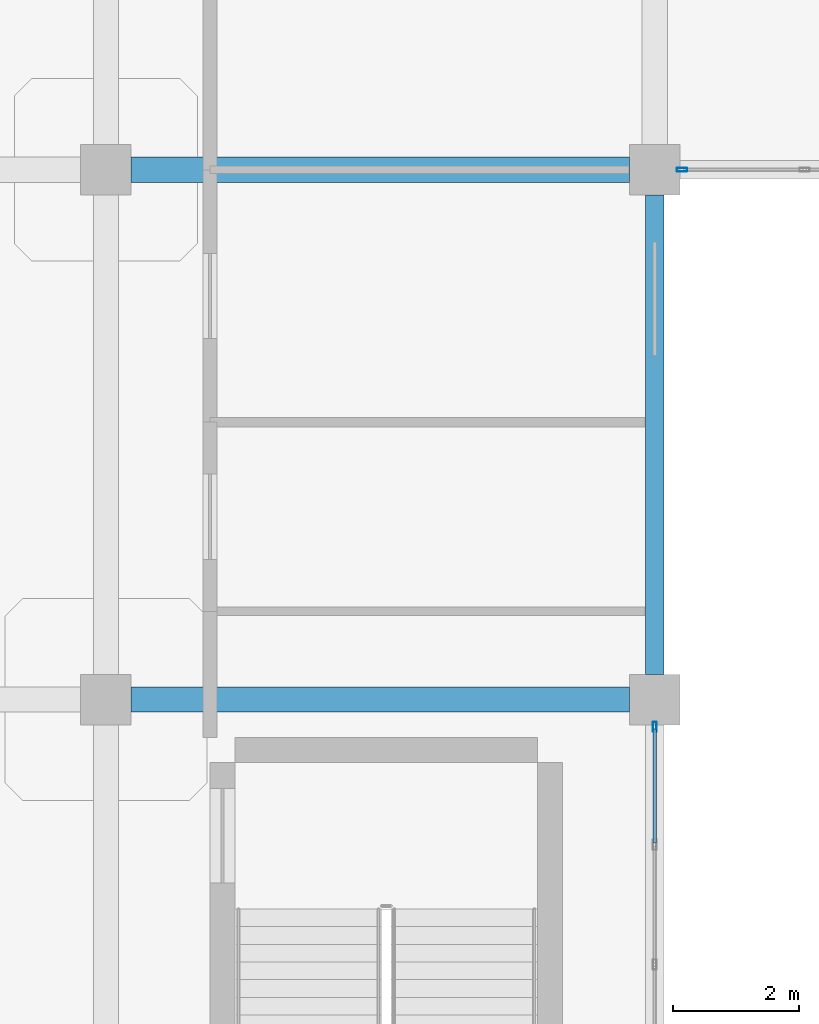
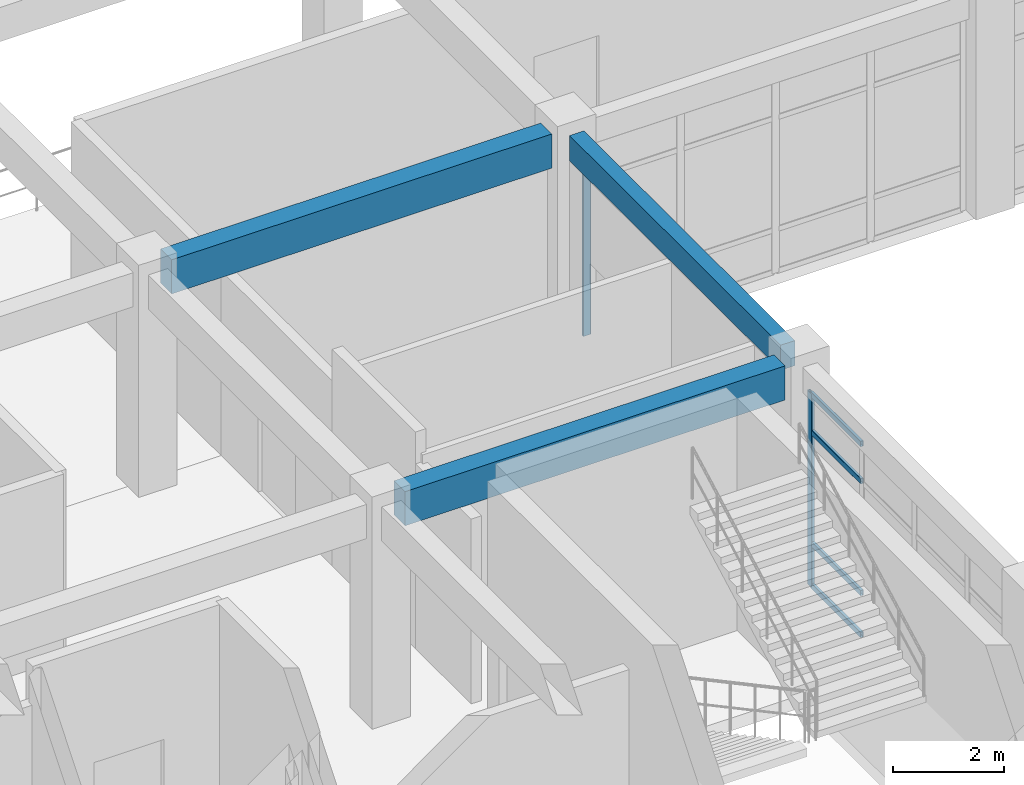
# One storey, part 34 of 124: 6 members, 3 beams, 2 elements without a shape of their own.
"""IFC4 building model written with IfcOpenShell, lengths in metres."""

from ifc_helpers import new_model, si_unit, derived_unit, direction, frame, origin, origin_2d, place, context, subcontext, project, spatial, rectangle, hollow_rectangle, extrude, material, layer, layer_set, material_profile, profile_set, type_object, element, aggregate, save


model = new_model("IFC4")

# Units and contexts
model_context = context("Model", 3, precision=1e-05, world=origin(), true_north=direction((0.0, 1.0)))
body_context = subcontext(model_context, "Body", "Model", "MODEL_VIEW")
ifc_project = project(units=[si_unit("LENGTHUNIT", "METRE"), si_unit("AREAUNIT", "SQUARE_METRE"), si_unit("VOLUMEUNIT", "CUBIC_METRE"), si_unit("PLANEANGLEUNIT", "RADIAN"), si_unit("MASSUNIT", "GRAM", prefix="KILO"), derived_unit("THERMALTRANSMITTANCEUNIT", [(si_unit("MASSUNIT", "GRAM", prefix="KILO"), 1), (si_unit("TIMEUNIT", "SECOND"), -3), (si_unit("THERMODYNAMICTEMPERATUREUNIT", "KELVIN"), -1)])], contexts=[model_context])

# Site, building, storey
site_placement = place(None, origin())
site = spatial("IfcSite", under=ifc_project, at=site_placement, CompositionType="ELEMENT")
building_placement = place(site_placement, origin())
building = spatial("IfcBuilding", under=site, at=building_placement, Name="Qinzheling Arcade Emporium", CompositionType="ELEMENT")
storey_placement = place(building_placement, frame((0.0, 0.0, 16.5)))
storey = spatial("IfcBuildingStorey", under=building, at=storey_placement, Name="L04", CompositionType="ELEMENT", Elevation=16.5)

# Curtain wall, member
ifc_material_1 = material(Name="Anodised aluminium and solar-control double glazing", Category="aluminium")
ifc_layer_1 = layer(ifc_material_1, 0.159912109375, Name="Anodised aluminium and solar-control double glazing", Category="aluminium")
ifc_layer_set_1 = layer_set([ifc_layer_1], Name="Anodised aluminium and solar-control double glazing")
curtain_wall_type_1 = type_object("IfcCurtainWallType", Name="Atrium Clerestory Curtain Wall", PredefinedType="NOTDEFINED", material=ifc_layer_set_1)
curtain_wall_1_placement = place(storey_placement, origin())
curtain_wall_1 = element("IfcCurtainWall", 1, at=curtain_wall_1_placement, inside=storey, type_object=curtain_wall_type_1, Name="Curtain Wall CW-L04-256", PredefinedType="NOTDEFINED")
ifc_material_2 = material(Name="Anodised aluminium 6063-T6", Category="aluminium")
ifc_material_profile_1 = material_profile(ifc_material_2, hollow_rectangle(XDim=0.06005859375, YDim=0.159912109375, WallThickness=0.00390625, InnerFilletRadius=0.00390625, OuterFilletRadius=0.008056640625, at=origin_2d()), Name="RHS 160x60x4", Category="aluminium")
ifc_profile_set_1 = profile_set([ifc_material_profile_1], Name="Anodised aluminium 6063-T6")
member_type_1 = type_object("IfcMemberType", Name="Curtain Wall Mullion RHS160x60", PredefinedType="MULLION", material=ifc_profile_set_1)
member_1_placement = place(storey_placement, frame((70.031982421875, 42.0, 0.0), z_axis=(0.0, 0.0, 1.0), x_axis=(0.0, -1.0, 0.0)))
member_1 = element("IfcMember", 2, at=member_1_placement, type_object=member_type_1, Name="CW03 mullion 5", PredefinedType="MULLION", context=body_context, shape_type="SweptSolid", body=[
    extrude(hollow_rectangle(XDim=0.06005859375, YDim=0.159912109375, WallThickness=0.00390625, InnerFilletRadius=0.00390625, OuterFilletRadius=0.008056640625, at=origin_2d()), origin(), (0.0, 0.0, 1.0), 4.2548828125),
])
aggregate(curtain_wall_1, [member_1])

# Curtain wall, members
ifc_layer_2 = layer(ifc_material_1, 0.159912109375, Name="Anodised aluminium and solar-control double glazing", Category="aluminium")
ifc_layer_set_2 = layer_set([ifc_layer_2], Name="Anodised aluminium and solar-control double glazing")
curtain_wall_type_2 = type_object("IfcCurtainWallType", Name="Arcade Portal Glazed Curtain Wall", PredefinedType="NOTDEFINED", material=ifc_layer_set_2)
curtain_wall_2_placement = place(storey_placement, origin())
curtain_wall_2 = element("IfcCurtainWall", 3, at=curtain_wall_2_placement, inside=storey, type_object=curtain_wall_type_2, Name="Curtain Wall CW-L04-257", PredefinedType="NOTDEFINED")
member_2_placement = place(storey_placement, frame((69.60009765625, 33.16796875, 0.0), z_axis=(0.0, 0.0, 1.0), x_axis=(1.0, 0.0, 0.0)))
member_2 = element("IfcMember", 4, at=member_2_placement, type_object=member_type_1, Name="CW05 mullion 1", PredefinedType="MULLION", context=body_context, shape_type="SweptSolid", body=[
    extrude(hollow_rectangle(XDim=0.06005859375, YDim=0.159912109375, WallThickness=0.00390625, InnerFilletRadius=0.00390625, OuterFilletRadius=0.008056640625, at=origin_2d()), origin(), (0.0, 0.0, 1.0), 4.2548828125),
])
ifc_material_profile_2 = material_profile(ifc_material_2, hollow_rectangle(XDim=0.06005859375, YDim=0.1201171875, WallThickness=0.00390625, InnerFilletRadius=0.00390625, OuterFilletRadius=0.008056640625, at=origin_2d()), Name="RHS 120x60x4", Category="aluminium")
ifc_profile_set_2 = profile_set([ifc_material_profile_2], Name="Anodised aluminium 6063-T6")
member_type_2 = type_object("IfcMemberType", Name="Curtain Wall Transom RHS120x60", PredefinedType="USERDEFINED", material=ifc_profile_set_2)
member_3_placement = place(storey_placement, frame((69.60009765625, 33.137939453125, 0.030029296875), z_axis=(0.0, -1.0, 0.0), x_axis=(1.0, 0.0, 0.0)))
member_3 = element("IfcMember", 5, at=member_3_placement, type_object=member_type_2, Name="CW05 transom 1.1", ObjectType="TRANSOM", PredefinedType="USERDEFINED", context=body_context, shape_type="SweptSolid", body=[
    extrude(hollow_rectangle(XDim=0.06005859375, YDim=0.1201171875, WallThickness=0.00390625, InnerFilletRadius=0.00390625, OuterFilletRadius=0.008056640625, at=origin_2d()), origin(), (0.0, 0.0, 1.0), 1.808837890625),
])
member_4_placement = place(storey_placement, frame((69.60009765625, 33.137939453125, 0.949951171875), z_axis=(0.0, -1.0, 0.0), x_axis=(1.0, 0.0, 0.0)))
member_4 = element("IfcMember", 6, at=member_4_placement, type_object=member_type_2, Name="CW05 transom 1.2", ObjectType="TRANSOM", PredefinedType="USERDEFINED", context=body_context, shape_type="SweptSolid", body=[
    extrude(hollow_rectangle(XDim=0.06005859375, YDim=0.1201171875, WallThickness=0.00390625, InnerFilletRadius=0.00390625, OuterFilletRadius=0.008056640625, at=origin_2d()), origin(), (0.0, 0.0, 1.0), 1.808837890625),
])
member_5_placement = place(storey_placement, frame((69.60009765625, 33.137939453125, 3.405029296875), z_axis=(0.0, -1.0, 0.0), x_axis=(1.0, 0.0, 0.0)))
member_5 = element("IfcMember", 7, at=member_5_placement, type_object=member_type_2, Name="CW05 transom 1.3", ObjectType="TRANSOM", PredefinedType="USERDEFINED", context=body_context, shape_type="SweptSolid", body=[
    extrude(hollow_rectangle(XDim=0.06005859375, YDim=0.1201171875, WallThickness=0.00390625, InnerFilletRadius=0.00390625, OuterFilletRadius=0.008056640625, at=origin_2d()), origin(), (0.0, 0.0, 1.0), 1.808837890625),
])
member_6_placement = place(storey_placement, frame((69.60009765625, 33.137939453125, 4.22509765625), z_axis=(0.0, -1.0, 0.0), x_axis=(1.0, 0.0, 0.0)))
member_6 = element("IfcMember", 8, at=member_6_placement, type_object=member_type_2, Name="CW05 transom 1.4", ObjectType="TRANSOM", PredefinedType="USERDEFINED", context=body_context, shape_type="SweptSolid", body=[
    extrude(hollow_rectangle(XDim=0.06005859375, YDim=0.1201171875, WallThickness=0.00390625, InnerFilletRadius=0.00390625, OuterFilletRadius=0.008056640625, at=origin_2d()), origin(), (0.0, 0.0, 1.0), 1.808837890625),
])
aggregate(curtain_wall_2, [member_2, member_3, member_4, member_5, member_6])

# Beams
ifc_material_3 = material(Name="Concrete C40", Category="concrete")
ifc_material_profile_3 = material_profile(ifc_material_3, rectangle(XDim=0.39990234375, YDim=0.75, at=origin_2d()), Name="RC 400x750", Category="concrete")
ifc_profile_set_3 = profile_set([ifc_material_profile_3], Name="Concrete C40")
beam_type_1 = type_object("IfcBeamType", Name="RC Interior Tie Beam 400x750 C40", PredefinedType="BEAM", material=ifc_profile_set_3)
for number, where, z_axis, x_axis, name in (
    (9, (61.300048828125, 33.60009765625, 4.445068359375), (1.0, 0.0, 0.0), (0.0, 1.0, 0.0), "Beam BM-L04-X-E-8"),
    (10, (61.300048828125, 42.0, 4.445068359375), (1.0, 0.0, 0.0), (0.0, 1.0, 0.0), "Beam BM-L04-X-F-8"),
):
    element("IfcBeam", number, at=place(storey_placement, frame(where, z_axis=z_axis, x_axis=x_axis)), inside=storey, type_object=beam_type_1, Name=name, PredefinedType="BEAM", context=body_context, shape_type="SweptSolid", body=[
        extrude(rectangle(XDim=0.39990234375, YDim=0.75, at=origin_2d()), origin(), (0.0, 0.0, 1.0), 7.89990234375),
    ])
ifc_material_profile_4 = material_profile(ifc_material_3, rectangle(XDim=0.300048828125, YDim=0.550048828125, at=origin_2d()), Name="RC 300x550", Category="concrete")
ifc_profile_set_4 = profile_set([ifc_material_profile_4], Name="Concrete C40")
beam_type_2 = type_object("IfcBeamType", Name="RC Terrace Spandrel Beam 300x550 C40", PredefinedType="SPANDREL", material=ifc_profile_set_4)
beam_placement = place(storey_placement, frame((69.60009765625, 34.0, 4.544921875), z_axis=(0.0, 1.0, 0.0), x_axis=(-1.0, 0.0, 0.0)))
element("IfcBeam", 11, at=beam_placement, inside=storey, type_object=beam_type_2, Name="Beam BM-L04-Y-9-E", PredefinedType="SPANDREL", context=body_context, shape_type="SweptSolid", body=[
    extrude(rectangle(XDim=0.300048828125, YDim=0.550048828125, at=origin_2d()), origin(), (0.0, 0.0, 1.0), 7.60009765625),
])

save(model, "model.ifc")
